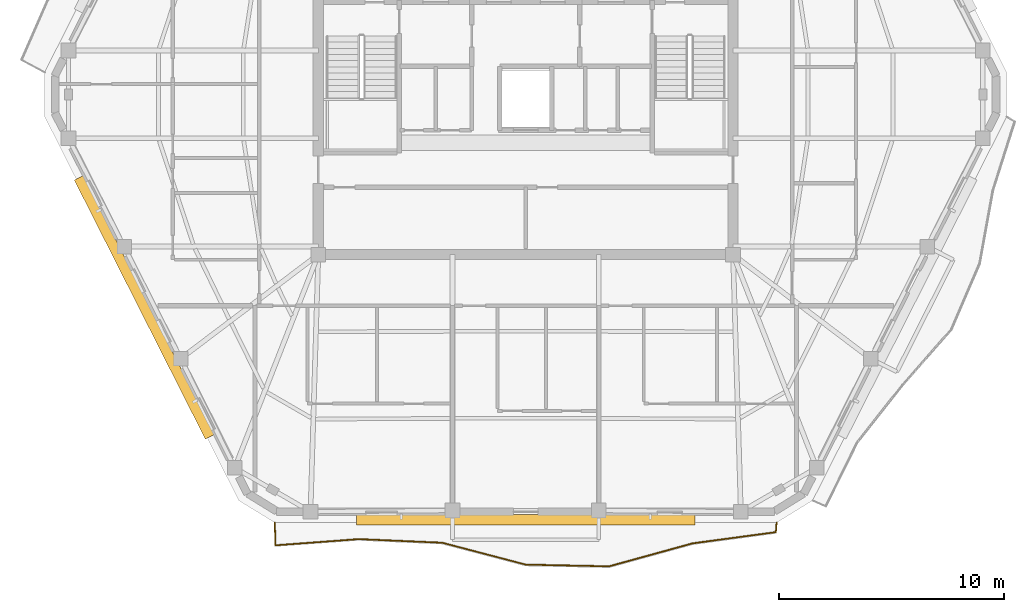
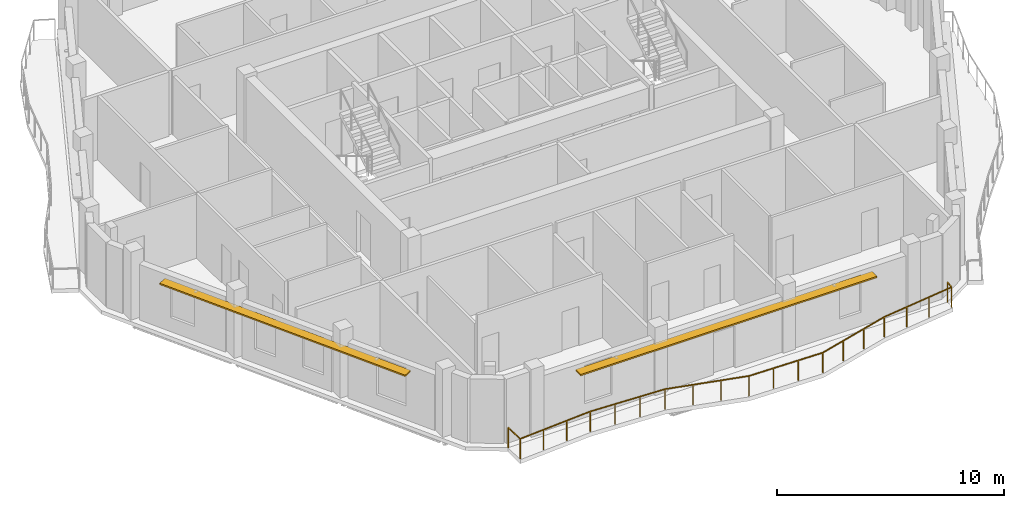
# One storey, part 9 of 12: 2 shading devices, 1 railing.
"""IFC4 building model written with IfcOpenShell, lengths in metres."""

from ifc_helpers import new_model, si_unit, direction, frame, origin, origin_2d, place, context, subcontext, project, spatial, rectangle, extrude, material, layer, layer_set, type_object, element, save


model = new_model("IFC4")

# Units and contexts
model_context = context("Model", 3, precision=1e-05, world=origin(), true_north=direction((0.0, 1.0)))
body_context = subcontext(model_context, "Body", "Model", "MODEL_VIEW")
ifc_project = project(units=[si_unit("LENGTHUNIT", "METRE"), si_unit("AREAUNIT", "SQUARE_METRE"), si_unit("VOLUMEUNIT", "CUBIC_METRE"), si_unit("PLANEANGLEUNIT", "RADIAN"), si_unit("MASSUNIT", "GRAM", prefix="KILO")], contexts=[model_context])

# Site, building, storey
site_placement = place(None, origin())
site = spatial("IfcSite", under=ifc_project, at=site_placement, CompositionType="ELEMENT")
building_placement = place(site_placement, origin())
building = spatial("IfcBuilding", under=site, at=building_placement, Name="Cinnabar Lancet Tower", CompositionType="ELEMENT")
storey_placement = place(building_placement, frame((0.0, 0.0, 270.800048828125)))
storey = spatial("IfcBuildingStorey", under=building, at=storey_placement, Name="L72", CompositionType="ELEMENT", Elevation=270.800048828125)

# Railing
ifc_material_1 = material(Name="Laminated safety glass and bronze stainless steel balustrade", Category="steel")
railing_type = type_object("IfcRailingType", Name="ENV-RLG-BAL-1100", PredefinedType="BALUSTRADE", material=ifc_material_1)
railing_placement = place(storey_placement, frame((21.236083984375, 6.75, 0.0)))
element("IfcRailing", 1, at=railing_placement, inside=storey, type_object=railing_type, Name="L72 Face 1 Wave Balcony Balustrade", PredefinedType="BALUSTRADE", context=body_context, shape_type="SweptSolid", body=[
    extrude(rectangle(XDim=0.048095703125, YDim=0.048095703125, at=origin_2d()), frame((0.0, 0.0, 1.076171875), z_axis=(0.033645266033, -0.999433837767, 0.0), x_axis=(0.999433837767, 0.033645266033, 0.0)), (0.0, 0.0, 1.0), 1.008544921875),
    extrude(rectangle(XDim=0.048095703125, YDim=0.048095703125, at=origin_2d()), frame((0.033935546875, -1.008056640625, 1.076171875), z_axis=(0.997244619177, 0.074183350716, 0.0), x_axis=(-0.074183350716, 0.997244619177, 0.0)), (0.0, 0.0, 1.0), 3.72216796875),
    extrude(rectangle(XDim=0.048095703125, YDim=0.048095703125, at=origin_2d()), frame((3.745849609375, -0.73193359375, 1.076171875), z_axis=(0.999069508045, -0.043129086423, 0.0), x_axis=(0.043129086423, 0.999069508045, 0.0)), (0.0, 0.0, 1.0), 3.71337890625),
    extrude(rectangle(XDim=0.048095703125, YDim=0.048095703125, at=origin_2d()), frame((7.455810546875, -0.89208984375, 1.076171875), z_axis=(0.967197333419, -0.254026215631, 0.0), x_axis=(0.254026215631, 0.967197333419, 0.0)), (0.0, 0.0, 1.0), 3.833740234375),
    extrude(rectangle(XDim=0.048095703125, YDim=0.048095703125, at=origin_2d()), frame((11.163818359375, -1.865966796875, 1.076171875), z_axis=(0.999783741409, -0.020795923005, 0.0), x_axis=(0.020795923005, 0.999783741409, 0.0)), (0.0, 0.0, 1.0), 3.709716796875),
    extrude(rectangle(XDim=0.048095703125, YDim=0.048095703125, at=origin_2d()), frame((14.872802734375, -1.943115234375, 1.076171875), z_axis=(0.964078368036, 0.265617959266, 0.0), x_axis=(-0.265617959266, 0.964078368036, 0.0)), (0.0, 0.0, 1.0), 3.848388671875),
    extrude(rectangle(XDim=0.048095703125, YDim=0.048095703125, at=origin_2d()), frame((18.5830078125, -0.9208984375, 1.076171875), z_axis=(0.991083200838, 0.133244470868, 0.0), x_axis=(-0.133244470868, 0.991083200838, 0.0)), (0.0, 0.0, 1.0), 3.743408203125),
    extrude(rectangle(XDim=0.048095703125, YDim=0.048095703125, at=origin_2d()), frame((22.29296875, -0.422119140625, 1.076171875), z_axis=(0.082425335856, 0.996597242626, 0.0), x_axis=(-0.996597242626, 0.082425335856, 0.0)), (0.0, 0.0, 1.0), 0.423583984375),
    extrude(rectangle(XDim=0.0419921875, YDim=0.0419921875, at=origin_2d()), origin(), (0.0, 0.0, 1.0), 1.052001953125),
    extrude(rectangle(XDim=0.0419921875, YDim=0.0419921875, at=origin_2d()), frame((0.033935546875, -1.008056640625, 0.0)), (0.0, 0.0, 1.0), 1.052001953125),
    extrude(rectangle(XDim=0.0419921875, YDim=0.0419921875, at=origin_2d()), frame((1.271240234375, -0.916015625, 0.0)), (0.0, 0.0, 1.0), 1.052001953125),
    extrude(rectangle(XDim=0.0419921875, YDim=0.0419921875, at=origin_2d()), frame((2.508544921875, -0.823974609375, 0.0)), (0.0, 0.0, 1.0), 1.052001953125),
    extrude(rectangle(XDim=0.0419921875, YDim=0.0419921875, at=origin_2d()), frame((3.745849609375, -0.73193359375, 0.0)), (0.0, 0.0, 1.0), 1.052001953125),
    extrude(rectangle(XDim=0.0419921875, YDim=0.0419921875, at=origin_2d()), frame((4.982421875, -0.785400390625, 0.0)), (0.0, 0.0, 1.0), 1.052001953125),
    extrude(rectangle(XDim=0.0419921875, YDim=0.0419921875, at=origin_2d()), frame((6.21923828125, -0.838623046875, 0.0)), (0.0, 0.0, 1.0), 1.052001953125),
    extrude(rectangle(XDim=0.0419921875, YDim=0.0419921875, at=origin_2d()), frame((7.455810546875, -0.89208984375, 0.0)), (0.0, 0.0, 1.0), 1.052001953125),
    extrude(rectangle(XDim=0.0419921875, YDim=0.0419921875, at=origin_2d()), frame((8.69189453125, -1.216796875, 0.0)), (0.0, 0.0, 1.0), 1.052001953125),
    extrude(rectangle(XDim=0.0419921875, YDim=0.0419921875, at=origin_2d()), frame((9.927734375, -1.541259765625, 0.0)), (0.0, 0.0, 1.0), 1.052001953125),
    extrude(rectangle(XDim=0.0419921875, YDim=0.0419921875, at=origin_2d()), frame((11.163818359375, -1.865966796875, 0.0)), (0.0, 0.0, 1.0), 1.052001953125),
    extrude(rectangle(XDim=0.0419921875, YDim=0.0419921875, at=origin_2d()), frame((12.400146484375, -1.8916015625, 0.0)), (0.0, 0.0, 1.0), 1.052001953125),
    extrude(rectangle(XDim=0.0419921875, YDim=0.0419921875, at=origin_2d()), frame((13.636474609375, -1.91748046875, 0.0)), (0.0, 0.0, 1.0), 1.052001953125),
    extrude(rectangle(XDim=0.0419921875, YDim=0.0419921875, at=origin_2d()), frame((14.872802734375, -1.943115234375, 0.0)), (0.0, 0.0, 1.0), 1.052001953125),
    extrude(rectangle(XDim=0.0419921875, YDim=0.0419921875, at=origin_2d()), frame((16.109619140625, -1.602294921875, 0.0)), (0.0, 0.0, 1.0), 1.052001953125),
    extrude(rectangle(XDim=0.0419921875, YDim=0.0419921875, at=origin_2d()), frame((17.34619140625, -1.26171875, 0.0)), (0.0, 0.0, 1.0), 1.052001953125),
    extrude(rectangle(XDim=0.0419921875, YDim=0.0419921875, at=origin_2d()), frame((18.5830078125, -0.9208984375, 0.0)), (0.0, 0.0, 1.0), 1.052001953125),
    extrude(rectangle(XDim=0.0419921875, YDim=0.0419921875, at=origin_2d()), frame((19.819580078125, -0.754638671875, 0.0)), (0.0, 0.0, 1.0), 1.052001953125),
    extrude(rectangle(XDim=0.0419921875, YDim=0.0419921875, at=origin_2d()), frame((21.056396484375, -0.58837890625, 0.0)), (0.0, 0.0, 1.0), 1.052001953125),
    extrude(rectangle(XDim=0.0419921875, YDim=0.0419921875, at=origin_2d()), frame((22.29296875, -0.422119140625, 0.0)), (0.0, 0.0, 1.0), 1.052001953125),
    extrude(rectangle(XDim=0.0419921875, YDim=0.0419921875, at=origin_2d()), frame((22.327880859375, 0.0, 0.0)), (0.0, 0.0, 1.0), 1.052001953125),
])

# Shading devices
ifc_material_2 = material(Name="Pale limestone architectural aluminium sunshade", Category="masonry")
ifc_layer = layer(ifc_material_2, 0.080078125)
ifc_layer_set = layer_set([ifc_layer], Name="Pale limestone architectural aluminium sunshade")
shading_device_type = type_object("IfcShadingDeviceType", Name="ENV-SHD-LVR-450", PredefinedType="JALOUSIE", material=ifc_layer_set)
shading_device_1_placement = place(storey_placement, frame((32.39990234375, 6.8798828125, 2.639892578125), z_axis=(0.0, 0.0, 1.0), x_axis=(1.0, 0.0, 0.0)))
element("IfcShadingDevice", 2, at=shading_device_1_placement, inside=storey, type_object=shading_device_type, Name="L72 Face 1 Horizontal Sunshade Canopy", PredefinedType="JALOUSIE", context=body_context, shape_type="SweptSolid", body=[
    extrude(rectangle(XDim=15.06103515625, YDim=0.449951171875, at=origin_2d()), origin(), (0.0, 0.0, 1.0), 0.080078125),
])
shading_device_2_placement = place(storey_placement, frame((15.43603515625, 16.330078125, 2.639892578125), z_axis=(0.0, 0.0, 1.0), x_axis=(0.451375984307, -0.89233386173, 0.0)))
element("IfcShadingDevice", 3, at=shading_device_2_placement, inside=storey, type_object=shading_device_type, Name="L72 Face 6 Horizontal Sunshade Canopy", PredefinedType="JALOUSIE", context=body_context, shape_type="SweptSolid", body=[
    extrude(rectangle(XDim=12.912109375, YDim=0.449951171875, at=origin_2d()), origin(), (0.0, 0.0, 1.0), 0.080078125),
])

save(model, "model.ifc")
